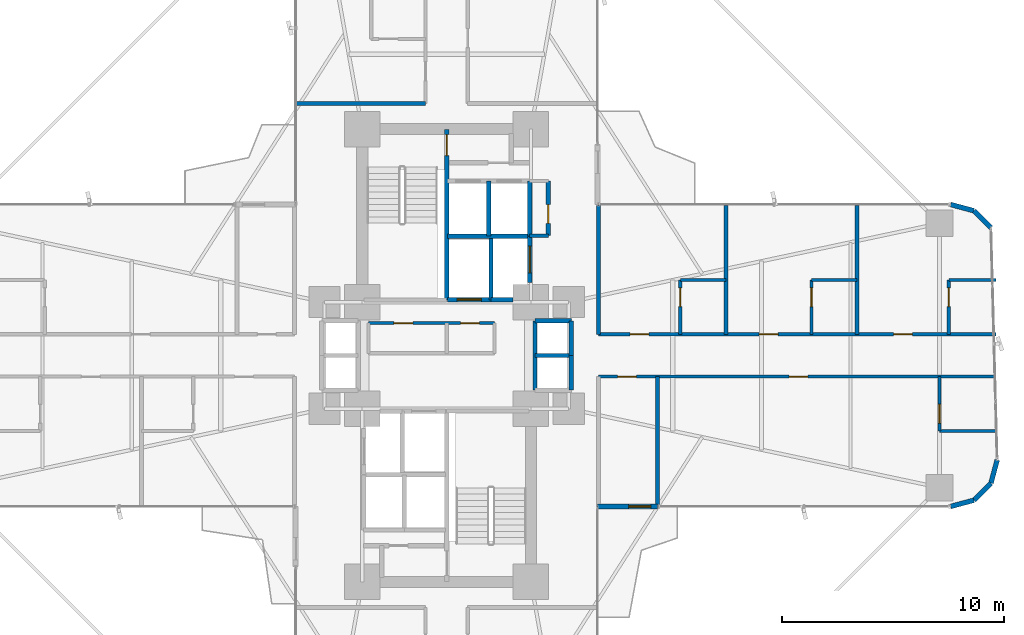
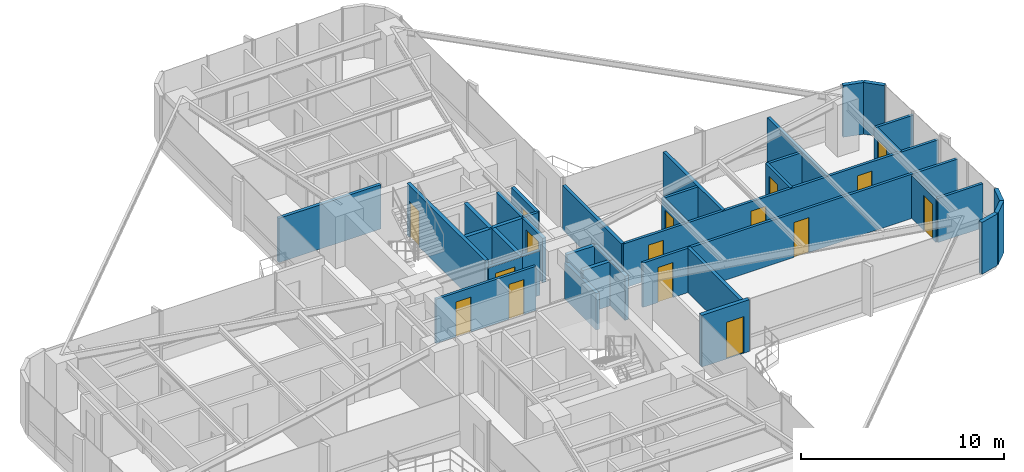
# One storey, part 23 of 26: 37 walls, 16 doors, 16 openings.
"""IFC4 building model written with IfcOpenShell, lengths in metres."""

from ifc_helpers import new_model, si_unit, direction, frame, frame_2d, origin, origin_2d, place, context, subcontext, project, spatial, rectangle, extrude, source, transform, mapped, material, layer, layer_set, type_object, element, fill, save


model = new_model("IFC4")

# Units and contexts
model_context = context("Model", 3, precision=1e-05, world=origin(), true_north=direction((0.0, 1.0)))
body_context = subcontext(model_context, "Body", "Model", "MODEL_VIEW")
ifc_project = project(units=[si_unit("LENGTHUNIT", "METRE"), si_unit("AREAUNIT", "SQUARE_METRE"), si_unit("VOLUMEUNIT", "CUBIC_METRE"), si_unit("PLANEANGLEUNIT", "RADIAN"), si_unit("MASSUNIT", "GRAM", prefix="KILO")], contexts=[model_context])

# Site, building, storey
site_placement = place(None, origin())
site = spatial("IfcSite", under=ifc_project, at=site_placement, CompositionType="ELEMENT")
building_placement = place(site_placement, origin())
building = spatial("IfcBuilding", under=site, at=building_placement, Name="Sahyath Konkavel Grand Hotel", CompositionType="ELEMENT")
storey_placement = place(building_placement, frame((0.0, 0.0, 51.050048828125)))
storey = spatial("IfcBuildingStorey", under=building, at=storey_placement, Name="L13", CompositionType="ELEMENT", Elevation=51.050048828125)

# Wall, opening, door
ifc_material_1 = material(Name="Warm Buff Sandstone Insulated Concrete C40/50", Category="masonry")
ifc_layer_1 = layer(ifc_material_1, 0.219970703125)
ifc_layer_set_1 = layer_set([ifc_layer_1], Name="Warm Buff Sandstone Insulated Concrete C40/50")
wall_type_1 = type_object("IfcWallType", Name="WLL-BALC-THRESH", PredefinedType="STANDARD", material=ifc_layer_set_1)
wall_1_placement = place(storey_placement, frame((6.800048828125, -6.800048828125, 0.0), z_axis=(0.0, 0.0, 1.0), x_axis=(1.0, 0.0, 0.0)))
wall_1 = element("IfcWall", 1, at=wall_1_placement, inside=storey, type_object=wall_type_1, Name="L13 Winter-Garden Threshold Wall 0", PredefinedType="STANDARD", context=body_context, shape_type="SweptSolid", body=[
    extrude(rectangle(XDim=2.699951171875, YDim=0.219970703125, at=frame_2d((1.35009765625, 0.0))), origin(), (0.0, 0.0, 1.0), 3.10986328125),
])
opening_1_placement = place(wall_1_placement, frame((1.39990234375, 0.0, 0.0)))
opening_1 = element("IfcOpeningElement", 2, at=opening_1_placement, cuts=wall_1, Name="Opening D-TR1", PredefinedType="OPENING", context=body_context, shape_type="SweptSolid", body=[
    extrude(rectangle(XDim=1.0, YDim=2.199951171875, at=frame_2d((0.5, 1.10009765625))), frame((0.0, 0.1201171875, 0.0), z_axis=(0.0, -1.0, 0.0), x_axis=(1.0, 0.0, 0.0)), (0.0, 0.0, 1.0), 0.239990234375),
])
ifc_material_2 = material(Name="Anodised Bronze Aluminium & Low-E Glazing", Category="aluminium")
door_type_1 = type_object("IfcDoorType", Name="DR-TERRACE-1000", OperationType="NOTDEFINED", PredefinedType="DOOR", material=ifc_material_2)
shared_shape_1 = source(origin(), body_context, "Body", "SweptSolid", [
    extrude(rectangle(XDim=1.0, YDim=0.050048828125, at=origin_2d()), origin(), (0.0, 0.0, 1.0), 2.199951171875),
])
door_1_placement = place(opening_1_placement, frame((0.5, 0.0, 0.0)))
door_1 = element("IfcDoor", 3, at=door_1_placement, inside=storey, type_object=door_type_1, Name="L13 Winter-Garden Terrace Door 0", OperationType="SINGLE_SWING_LEFT", OverallHeight=2.199951171875, OverallWidth=1.0, PredefinedType="DOOR", context=body_context, shape_type="MappedRepresentation", body=[
    mapped(shared_shape_1, transform((0.0, 0.0, 0.0), scale=1.0)),
])
fill(opening_1, door_1)

# Walls
for number, where, z_axis, x_axis, name in (
    (4, (22.699951171875, -6.800048828125, 0.0), (0.0, 0.0, 1.0), (0.965951058412, 0.25872485917, 0.0), "L13 Rounded Corner Sandstone Pier 1"),
    (5, (23.75, -6.518798828125, 0.0), (0.0, 0.0, 1.0), (0.707106781187, 0.707106781187, 0.0), "L13 Rounded Corner Sandstone Pier 2"),
    (6, (24.518798828125, -5.75, 0.0), (0.0, 0.0, 1.0), (0.25872485917, 0.965951058412, 0.0), "L13 Rounded Corner Sandstone Pier 3"),
    (7, (24.518798828125, 5.75, 0.0), (0.0, 0.0, 1.0), (-0.707106781187, 0.707106781187, 0.0), "L13 Rounded Corner Sandstone Pier 5"),
    (8, (23.75, 6.518798828125, 0.0), (0.0, 0.0, 1.0), (-0.965951058412, 0.25872485917, 0.0), "L13 Rounded Corner Sandstone Pier 6"),
):
    element("IfcWall", number, at=place(storey_placement, frame(where, z_axis=z_axis, x_axis=x_axis)), inside=storey, type_object=wall_type_1, Name=name, PredefinedType="STANDARD", context=body_context, shape_type="SweptSolid", body=[
        extrude(rectangle(XDim=1.087158203125, YDim=0.219970703125, at=frame_2d((0.54345703125, 0.0))), origin(), (0.0, 0.0, 1.0), 3.10986328125),
    ])

# Wall, opening, door
ifc_material_3 = material(Name="Concrete C40/50", Category="concrete")
ifc_layer_2 = layer(ifc_material_3, 0.199951171875)
ifc_layer_set_2 = layer_set([ifc_layer_2], Name="Concrete C40/50")
wall_type_2 = type_object("IfcWallType", Name="WLL-CORE-200", PredefinedType="SOLIDWALL", material=ifc_layer_set_2)
wall_2_placement = place(storey_placement, frame((0.0, 2.5, 0.0), z_axis=(0.0, 0.0, 1.0), x_axis=(0.0, 1.0, 0.0)))
wall_2 = element("IfcWall", 9, at=wall_2_placement, inside=storey, type_object=wall_type_2, Name="L13 Stair ST-1 Shaft Wall E", PredefinedType="SOLIDWALL", context=body_context, shape_type="SweptSolid", body=[
    extrude(rectangle(XDim=7.679931640625, YDim=0.199951171875, at=frame_2d((3.83984375, 0.0))), origin(), (0.0, 0.0, 1.0), 3.10986328125),
])
opening_2_placement = place(wall_2_placement, frame((6.5, 0.0, 0.0)))
opening_2 = element("IfcOpeningElement", 10, at=opening_2_placement, cuts=wall_2, Name="Opening D-F12C", PredefinedType="OPENING", context=body_context, shape_type="SweptSolid", body=[
    extrude(rectangle(XDim=0.949951171875, YDim=2.14990234375, at=frame_2d((0.47509765625, 1.074951171875))), frame((0.0, 0.10986328125, 0.0), z_axis=(0.0, -1.0, 0.0), x_axis=(1.0, 0.0, 0.0)), (0.0, 0.0, 1.0), 0.219970703125),
])
ifc_material_4 = material(Name="Steel E350 Plant Fire Door", Category="steel")
door_type_2 = type_object("IfcDoorType", Name="DR-FD120-950", OperationType="NOTDEFINED", PredefinedType="DOOR", material=ifc_material_4)
shared_shape_2 = source(origin(), body_context, "Body", "SweptSolid", [
    extrude(rectangle(XDim=0.949951171875, YDim=0.050048828125, at=origin_2d()), origin(), (0.0, 0.0, 1.0), 2.14990234375),
])
door_2_placement = place(opening_2_placement, frame((0.47509765625, 0.0, 0.0)))
door_2 = element("IfcDoor", 11, at=door_2_placement, inside=storey, type_object=door_type_2, Name="L13 Stair ST-1 Fire Door", OperationType="SINGLE_SWING_LEFT", OverallHeight=2.14990234375, OverallWidth=0.949951171875, PredefinedType="DOOR", context=body_context, shape_type="MappedRepresentation", body=[
    mapped(shared_shape_2, transform((0.0, 0.0, 0.0), scale=1.0)),
])
fill(opening_2, door_2)

# Wall
wall_3_placement = place(storey_placement, frame((2.0, 2.5, 0.0), z_axis=(0.0, 0.0, 1.0), x_axis=(0.0, 1.0, 0.0)))
element("IfcWall", 12, at=wall_3_placement, inside=storey, type_object=wall_type_2, Name="L13 Partition SH-FFL1-E", PredefinedType="SOLIDWALL", context=body_context, shape_type="SweptSolid", body=[
    extrude(rectangle(XDim=2.780029296875, YDim=0.199951171875, at=frame_2d((1.39013671875, 0.0))), origin(), (0.0, 0.0, 1.0), 2.659912109375),
])

# Wall, opening, door
wall_4_placement = place(storey_placement, frame((0.050048828125, 2.52001953125, 0.0), z_axis=(0.0, 0.0, 1.0), x_axis=(1.0, 0.0, 0.0)))
wall_4 = element("IfcWall", 13, at=wall_4_placement, inside=storey, type_object=wall_type_2, Name="L13 Partition SH-FFL1-S", PredefinedType="SOLIDWALL", context=body_context, shape_type="SweptSolid", body=[
    extrude(rectangle(XDim=1.949951171875, YDim=0.199951171875, at=frame_2d((0.97509765625, 0.0))), origin(), (0.0, 0.0, 1.0), 2.659912109375),
])
opening_3_placement = place(wall_4_placement, frame((0.419921875, 0.0, 0.0)))
opening_3 = element("IfcOpeningElement", 14, at=opening_3_placement, cuts=wall_4, Name="Opening LD-11", PredefinedType="OPENING", context=body_context, shape_type="SweptSolid", body=[
    extrude(rectangle(XDim=1.10009765625, YDim=2.199951171875, at=frame_2d((0.550048828125, 1.10009765625))), frame((0.0, 0.10986328125, 0.0), z_axis=(0.0, -1.0, 0.0), x_axis=(1.0, 0.0, 0.0)), (0.0, 0.0, 1.0), 0.219970703125),
])
ifc_material_5 = material(Name="Bronze Lift Landing Door 1100")
door_type_3 = type_object("IfcDoorType", Name="DR-LIFT-1100", OperationType="DOUBLE_DOOR_SLIDING", PredefinedType="DOOR", material=ifc_material_5)
shared_shape_3 = source(origin(), body_context, "Body", "SweptSolid", [
    extrude(rectangle(XDim=1.10009765625, YDim=0.050048828125, at=origin_2d()), origin(), (0.0, 0.0, 1.0), 2.199951171875),
])
door_3_placement = place(opening_3_placement, frame((0.550048828125, 0.0, 0.0)))
door_3 = element("IfcDoor", 15, at=door_3_placement, inside=storey, type_object=door_type_3, Name="L13 Lift FFL-1 Landing Door", OperationType="DOUBLE_DOOR_SLIDING", OverallHeight=2.199951171875, OverallWidth=1.10009765625, PredefinedType="DOOR", context=body_context, shape_type="MappedRepresentation", body=[
    mapped(shared_shape_3, transform((0.0, 0.0, 0.0), scale=1.0)),
])
fill(opening_3, door_3)

# Wall
wall_5_placement = place(storey_placement, frame((2.0, 2.52001953125, 0.0), z_axis=(0.0, 0.0, 1.0), x_axis=(1.0, 0.0, 0.0)))
element("IfcWall", 16, at=wall_5_placement, inside=storey, type_object=wall_type_2, Name="L13 Partition SH-SVL1-S", PredefinedType="SOLIDWALL", context=body_context, shape_type="SweptSolid", body=[
    extrude(rectangle(XDim=1.0, YDim=0.199951171875, at=frame_2d((0.5, 0.0))), origin(), (0.0, 0.0, 1.0), 2.659912109375),
])

# Wall, opening, door
wall_6_placement = place(storey_placement, frame((3.739990234375, 3.280029296875, 0.0), z_axis=(0.0, 0.0, 1.0), x_axis=(0.0, 1.0, 0.0)))
wall_6 = element("IfcWall", 17, at=wall_6_placement, inside=storey, type_object=wall_type_2, Name="L13 Partition SH-SVL1-E", PredefinedType="SOLIDWALL", context=body_context, shape_type="SweptSolid", body=[
    extrude(rectangle(XDim=2.080078125, YDim=0.199951171875, at=frame_2d((1.0400390625, 0.0))), origin(), (0.0, 0.0, 1.0), 2.659912109375),
])
opening_4_placement = place(wall_6_placement, frame((0.43994140625, 0.0, 0.0)))
opening_4 = element("IfcOpeningElement", 18, at=opening_4_placement, cuts=wall_6, Name="Opening LD-12", PredefinedType="OPENING", context=body_context, shape_type="SweptSolid", body=[
    extrude(rectangle(XDim=1.199951171875, YDim=2.199951171875, at=frame_2d((0.60009765625, 1.10009765625))), frame((0.0, 0.10986328125, 0.0), z_axis=(0.0, -1.0, 0.0), x_axis=(1.0, 0.0, 0.0)), (0.0, 0.0, 1.0), 0.219970703125),
])
ifc_material_6 = material(Name="Stainless Steel Lift Landing Door 1200", Category="steel")
door_type_4 = type_object("IfcDoorType", Name="DR-LIFT-1200", OperationType="DOUBLE_DOOR_SLIDING", PredefinedType="DOOR", material=ifc_material_6)
shared_shape_4 = source(origin(), body_context, "Body", "SweptSolid", [
    extrude(rectangle(XDim=1.199951171875, YDim=0.050048828125, at=origin_2d()), origin(), (0.0, 0.0, 1.0), 2.199951171875),
])
door_4_placement = place(opening_4_placement, frame((0.60009765625, 0.0, 0.0)))
door_4 = element("IfcDoor", 19, at=door_4_placement, inside=storey, type_object=door_type_4, Name="L13 Service Lift SVL-1 Landing Door", OperationType="DOUBLE_DOOR_SLIDING", OverallHeight=2.199951171875, OverallWidth=1.199951171875, PredefinedType="DOOR", context=body_context, shape_type="MappedRepresentation", body=[
    mapped(shared_shape_4, transform((0.0, 0.0, 0.0), scale=1.0)),
])
fill(opening_4, door_4)

# Walls
wall_7_placement = place(storey_placement, frame((0.050048828125, 5.3798828125, 0.0), z_axis=(0.0, 0.0, 1.0), x_axis=(1.0, 0.0, 0.0)))
element("IfcWall", 20, at=wall_7_placement, inside=storey, type_object=wall_type_2, Name="L13 Partition SH-PL12-S", PredefinedType="SOLIDWALL", context=body_context, shape_type="SweptSolid", body=[
    extrude(rectangle(XDim=3.68994140625, YDim=0.199951171875, at=frame_2d((1.844970703125, 0.0))), origin(), (0.0, 0.0, 1.0), 2.659912109375),
])
for number, where, z_axis, x_axis, name in (
    (21, (1.89990234375, 5.3798828125, 0.0), (0.0, 0.0, 1.0), (0.0, 1.0, 0.0), "L13 Partition SH-PL12-M"),
    (22, (3.739990234375, 5.3798828125, 0.0), (0.0, 0.0, 1.0), (0.0, 1.0, 0.0), "L13 Partition SH-PL2-E"),
):
    element("IfcWall", number, at=place(storey_placement, frame(where, z_axis=z_axis, x_axis=x_axis)), inside=storey, type_object=wall_type_2, Name=name, PredefinedType="SOLIDWALL", context=body_context, shape_type="SweptSolid", body=[
        extrude(rectangle(XDim=2.480224609375, YDim=0.199951171875, at=frame_2d((1.240234375, 0.0))), origin(), (0.0, 0.0, 1.0), 2.659912109375),
    ])
wall_8_placement = place(storey_placement, frame((3.97998046875, -1.56005859375, 0.0), z_axis=(0.0, 0.0, 1.0), x_axis=(0.0, 1.0, 0.0)))
element("IfcWall", 23, at=wall_8_placement, inside=storey, type_object=wall_type_2, Name="L13 Partition SH-PL56-W", PredefinedType="SOLIDWALL", context=body_context, shape_type="SweptSolid", body=[
    extrude(rectangle(XDim=3.1201171875, YDim=0.199951171875, at=frame_2d((1.56005859375, 0.0))), origin(), (0.0, 0.0, 1.0), 2.179931640625),
])
for number, where, z_axis, x_axis, name in (
    (24, (3.97998046875, 1.56005859375, 0.0), (0.0, 0.0, 1.0), (1.0, 0.0, 0.0), "L13 Partition SH-PL56-N"),
    (25, (3.97998046875, 0.0, 0.0), (0.0, 0.0, 1.0), (1.0, 0.0, 0.0), "L13 Partition SH-PL56-M"),
):
    element("IfcWall", number, at=place(storey_placement, frame(where, z_axis=z_axis, x_axis=x_axis)), inside=storey, type_object=wall_type_2, Name=name, PredefinedType="SOLIDWALL", context=body_context, shape_type="SweptSolid", body=[
        extrude(rectangle(XDim=1.64013671875, YDim=0.199951171875, at=frame_2d((0.820068359375, 0.0))), origin(), (0.0, 0.0, 1.0), 2.659912109375),
    ])
for number, where, z_axis, x_axis, name in (
    (26, (5.6201171875, 0.0, 0.0), (0.0, 0.0, 1.0), (0.0, 1.0, 0.0), "L13 Partition SH-PL5-E"),
    (27, (5.6201171875, -1.56005859375, 0.0), (0.0, 0.0, 1.0), (0.0, 1.0, 0.0), "L13 Partition SH-PL6-E"),
):
    element("IfcWall", number, at=place(storey_placement, frame(where, z_axis=z_axis, x_axis=x_axis)), inside=storey, type_object=wall_type_2, Name=name, PredefinedType="SOLIDWALL", context=body_context, shape_type="SweptSolid", body=[
        extrude(rectangle(XDim=1.56005859375, YDim=0.199951171875, at=frame_2d((0.780029296875, 0.0))), origin(), (0.0, 0.0, 1.0), 2.659912109375),
    ])

# Wall, opening, door
wall_9_placement = place(storey_placement, frame((4.580078125, 5.39990234375, 0.0), z_axis=(0.0, 0.0, 1.0), x_axis=(0.0, 1.0, 0.0)))
wall_9 = element("IfcWall", 28, at=wall_9_placement, inside=storey, type_object=wall_type_2, Name="L13 Partition NC-FLK-E", PredefinedType="SOLIDWALL", context=body_context, shape_type="SweptSolid", body=[
    extrude(rectangle(XDim=2.460205078125, YDim=0.199951171875, at=frame_2d((1.22998046875, 0.0))), origin(), (0.0, 0.0, 1.0), 2.659912109375),
])
opening_5_placement = place(wall_9_placement, frame((0.550048828125, 0.0, 0.0)))
opening_5 = element("IfcOpeningElement", 29, at=opening_5_placement, cuts=wall_9, Name="Opening D-F06D", PredefinedType="OPENING", context=body_context, shape_type="SweptSolid", body=[
    extrude(rectangle(XDim=0.85009765625, YDim=2.10009765625, at=frame_2d((0.425048828125, 1.050048828125))), frame((0.0, 0.10986328125, 0.0), z_axis=(0.0, -1.0, 0.0), x_axis=(1.0, 0.0, 0.0)), (0.0, 0.0, 1.0), 0.219970703125),
])
ifc_material_7 = material(Name="Fire-Rated Shaft Access Door")
door_type_5 = type_object("IfcDoorType", Name="DR-FD60-850", OperationType="NOTDEFINED", PredefinedType="DOOR", material=ifc_material_7)
shared_shape_5 = source(origin(), body_context, "Body", "SweptSolid", [
    extrude(rectangle(XDim=0.85009765625, YDim=0.050048828125, at=origin_2d()), origin(), (0.0, 0.0, 1.0), 2.10009765625),
])
door_5_placement = place(opening_5_placement, frame((0.425048828125, 0.0, 0.0)))
door_5 = element("IfcDoor", 30, at=door_5_placement, inside=storey, type_object=door_type_5, Name="L13 Door NC-FLK1-D", OperationType="SINGLE_SWING_LEFT", OverallHeight=2.10009765625, OverallWidth=0.85009765625, PredefinedType="DOOR", context=body_context, shape_type="MappedRepresentation", body=[
    mapped(shared_shape_5, transform((0.0, 0.0, 0.0), scale=1.0)),
])
fill(opening_5, door_5)

# Walls
ifc_material_8 = material(Name="Twin-Stud Acoustic Gypsum Plasterboard Partition")
ifc_layer_3 = layer(ifc_material_8, 0.179931640625)
ifc_layer_set_3 = layer_set([ifc_layer_3], Name="Twin-Stud Acoustic Gypsum Plasterboard Partition")
wall_type_3 = type_object("IfcWallType", Name="WLL-DEMISE-180", PredefinedType="PARTITIONING", material=ifc_layer_set_3)
for number, where, z_axis, x_axis, name in (
    (31, (6.85009765625, 0.949951171875, 0.0), (0.0, 0.0, 1.0), (0.0, 1.0, 0.0), "L13 Partition E-INL"),
    (32, (12.577880859375, 0.949951171875, 0.0), (0.0, 0.0, 1.0), (0.0, 1.0, 0.0), "L13 Partition E-E1L-DEM"),
    (33, (18.485107421875, 0.949951171875, 0.0), (0.0, 0.0, 1.0), (0.0, 1.0, 0.0), "L13 Partition E-E2L-DEM"),
    (34, (9.5, -0.949951171875, 0.0), (0.0, 0.0, 1.0), (0.0, -1.0, 0.0), "L13 Partition E-EHK-DEM"),
    (35, (-0.949951171875, 11.35009765625, 0.0), (0.0, 0.0, 1.0), (-1.0, 0.0, 0.0), "L13 Partition N-INL"),
):
    element("IfcWall", number, at=place(storey_placement, frame(where, z_axis=z_axis, x_axis=x_axis)), inside=storey, type_object=wall_type_3, Name=name, PredefinedType="PARTITIONING", context=body_context, shape_type="SweptSolid", body=[
        extrude(rectangle(XDim=5.800048828125, YDim=0.179931640625, at=frame_2d((2.89990234375, 0.0))), origin(), (0.0, 0.0, 1.0), 2.659912109375),
    ])
ifc_material_9 = material(Name="Fire-Rated Gypsum Plasterboard Partition")
ifc_layer_4 = layer(ifc_material_9, 0.14990234375)
ifc_layer_set_4 = layer_set([ifc_layer_4], Name="Fire-Rated Gypsum Plasterboard Partition")
wall_type_4 = type_object("IfcWallType", Name="WLL-PART-150", PredefinedType="PARTITIONING", material=ifc_layer_set_4)
wall_10_placement = place(storey_placement, frame((3.739990234375, 5.39990234375, 0.0), z_axis=(0.0, 0.0, 1.0), x_axis=(1.0, 0.0, 0.0)))
element("IfcWall", 36, at=wall_10_placement, inside=storey, type_object=wall_type_4, Name="L13 Partition NC-FLK-S", PredefinedType="PARTITIONING", context=body_context, shape_type="SweptSolid", body=[
    extrude(rectangle(XDim=0.840087890625, YDim=0.14990234375, at=frame_2d((0.419921875, 0.0))), origin(), (0.0, 0.0, 1.0), 2.659912109375),
])

# Wall, openings, doors
wall_11_placement = place(storey_placement, frame((-3.52001953125, 1.4599609375, 0.0), z_axis=(0.0, 0.0, 1.0), x_axis=(1.0, 0.0, 0.0)))
wall_11 = element("IfcWall", 37, at=wall_11_placement, inside=storey, type_object=wall_type_4, Name="L13 Partition CC-N0", PredefinedType="PARTITIONING", context=body_context, shape_type="SweptSolid", body=[
    extrude(rectangle(XDim=5.679931640625, YDim=0.14990234375, at=frame_2d((2.83984375, 0.0))), origin(), (0.0, 0.0, 1.0), 2.659912109375),
])
opening_6_placement = place(wall_11_placement, frame((1.14990234375, 0.0, 0.0)))
opening_6 = element("IfcOpeningElement", 38, at=opening_6_placement, cuts=wall_11, Name="Opening D-F06D", PredefinedType="OPENING", context=body_context, shape_type="SweptSolid", body=[
    extrude(rectangle(XDim=0.85009765625, YDim=2.10009765625, at=frame_2d((0.425048828125, 1.050048828125))), frame((0.0, 0.0849609375, 0.0), z_axis=(0.0, -1.0, 0.0), x_axis=(1.0, 0.0, 0.0)), (0.0, 0.0, 1.0), 0.169921875),
])
opening_7_placement = place(wall_11_placement, frame((4.14990234375, 0.0, 0.0)))
opening_7 = element("IfcOpeningElement", 39, at=opening_7_placement, cuts=wall_11, Name="Opening D-F06D", PredefinedType="OPENING", context=body_context, shape_type="SweptSolid", body=[
    extrude(rectangle(XDim=0.85009765625, YDim=2.10009765625, at=frame_2d((0.425048828125, 1.050048828125))), frame((0.0, 0.0849609375, 0.0), z_axis=(0.0, -1.0, 0.0), x_axis=(1.0, 0.0, 0.0)), (0.0, 0.0, 1.0), 0.169921875),
])
door_6_placement = place(opening_6_placement, frame((0.425048828125, 0.0, 0.0)))
door_6 = element("IfcDoor", 40, at=door_6_placement, inside=storey, type_object=door_type_5, Name="L13 Door CC-D0A", OperationType="SINGLE_SWING_RIGHT", OverallHeight=2.10009765625, OverallWidth=0.85009765625, PredefinedType="DOOR", context=body_context, shape_type="MappedRepresentation", body=[
    mapped(shared_shape_5, transform((0.0, 0.0, 0.0), scale=1.0)),
])
fill(opening_6, door_6)
door_7_placement = place(opening_7_placement, frame((0.425048828125, 0.0, 0.0)))
door_7 = element("IfcDoor", 41, at=door_7_placement, inside=storey, type_object=door_type_5, Name="L13 Door CC-D0B", OperationType="SINGLE_SWING_LEFT", OverallHeight=2.10009765625, OverallWidth=0.85009765625, PredefinedType="DOOR", context=body_context, shape_type="MappedRepresentation", body=[
    mapped(shared_shape_5, transform((0.0, 0.0, 0.0), scale=1.0)),
])
fill(opening_7, door_7)

wall_12_placement = place(storey_placement, frame((6.85009765625, 0.949951171875, 0.0), z_axis=(0.0, 0.0, 1.0), x_axis=(1.0, 0.0, 0.0)))
wall_12 = element("IfcWall", 42, at=wall_12_placement, inside=storey, type_object=wall_type_4, Name="L13 Partition E-CL", PredefinedType="PARTITIONING", context=body_context, shape_type="SweptSolid", body=[
    extrude(rectangle(XDim=17.89990234375, YDim=0.14990234375, at=frame_2d((8.949951171875, 0.0))), origin(), (0.0, 0.0, 1.0), 2.659912109375),
])
opening_8_placement = place(wall_12_placement, frame((1.4140625, 0.0, 0.0)))
opening_8 = element("IfcOpeningElement", 43, at=opening_8_placement, cuts=wall_12, Name="Opening D-F06D", PredefinedType="OPENING", context=body_context, shape_type="SweptSolid", body=[
    extrude(rectangle(XDim=0.85009765625, YDim=2.10009765625, at=frame_2d((0.425048828125, 1.050048828125))), frame((0.0, 0.0849609375, 0.0), z_axis=(0.0, -1.0, 0.0), x_axis=(1.0, 0.0, 0.0)), (0.0, 0.0, 1.0), 0.169921875),
])
opening_9_placement = place(wall_12_placement, frame((7.23095703125, 0.0, 0.0)))
opening_9 = element("IfcOpeningElement", 44, at=opening_9_placement, cuts=wall_12, Name="Opening D-F06D", PredefinedType="OPENING", context=body_context, shape_type="SweptSolid", body=[
    extrude(rectangle(XDim=0.85009765625, YDim=2.10009765625, at=frame_2d((0.425048828125, 1.050048828125))), frame((0.0, 0.0849609375, 0.0), z_axis=(0.0, -1.0, 0.0), x_axis=(1.0, 0.0, 0.0)), (0.0, 0.0, 1.0), 0.169921875),
])
opening_10_placement = place(wall_12_placement, frame((13.278076171875, 0.0, 0.0)))
opening_10 = element("IfcOpeningElement", 45, at=opening_10_placement, cuts=wall_12, Name="Opening D-F06D", PredefinedType="OPENING", context=body_context, shape_type="SweptSolid", body=[
    extrude(rectangle(XDim=0.85009765625, YDim=2.10009765625, at=frame_2d((0.425048828125, 1.050048828125))), frame((0.0, 0.0849609375, 0.0), z_axis=(0.0, -1.0, 0.0), x_axis=(1.0, 0.0, 0.0)), (0.0, 0.0, 1.0), 0.169921875),
])
door_8_placement = place(opening_8_placement, frame((0.425048828125, 0.0, 0.0)))
door_8 = element("IfcDoor", 46, at=door_8_placement, inside=storey, type_object=door_type_5, Name="L13 Door E-E1L-ED", OperationType="SINGLE_SWING_LEFT", OverallHeight=2.10009765625, OverallWidth=0.85009765625, PredefinedType="DOOR", context=body_context, shape_type="MappedRepresentation", body=[
    mapped(shared_shape_5, transform((0.0, 0.0, 0.0), scale=1.0)),
])
fill(opening_8, door_8)
door_9_placement = place(opening_9_placement, frame((0.425048828125, 0.0, 0.0)))
door_9 = element("IfcDoor", 47, at=door_9_placement, inside=storey, type_object=door_type_5, Name="L13 Door E-E2L-ED", OperationType="SINGLE_SWING_LEFT", OverallHeight=2.10009765625, OverallWidth=0.85009765625, PredefinedType="DOOR", context=body_context, shape_type="MappedRepresentation", body=[
    mapped(shared_shape_5, transform((0.0, 0.0, 0.0), scale=1.0)),
])
fill(opening_9, door_9)
door_10_placement = place(opening_10_placement, frame((0.425048828125, 0.0, 0.0)))
door_10 = element("IfcDoor", 48, at=door_10_placement, inside=storey, type_object=door_type_5, Name="L13 Door E-E3L-ED", OperationType="SINGLE_SWING_LEFT", OverallHeight=2.10009765625, OverallWidth=0.85009765625, PredefinedType="DOOR", context=body_context, shape_type="MappedRepresentation", body=[
    mapped(shared_shape_5, transform((0.0, 0.0, 0.0), scale=1.0)),
])
fill(opening_10, door_10)

wall_13_placement = place(storey_placement, frame((6.85009765625, -0.949951171875, 0.0), z_axis=(0.0, 0.0, 1.0), x_axis=(1.0, 0.0, 0.0)))
wall_13 = element("IfcWall", 49, at=wall_13_placement, inside=storey, type_object=wall_type_4, Name="L13 Partition E-CR", PredefinedType="PARTITIONING", context=body_context, shape_type="SweptSolid", body=[
    extrude(rectangle(XDim=17.89990234375, YDim=0.14990234375, at=frame_2d((8.949951171875, 0.0))), origin(), (0.0, 0.0, 1.0), 2.659912109375),
])
opening_11_placement = place(wall_13_placement, frame((0.85009765625, 0.0, 0.0)))
opening_11 = element("IfcOpeningElement", 50, at=opening_11_placement, cuts=wall_13, Name="Opening D-F06D", PredefinedType="OPENING", context=body_context, shape_type="SweptSolid", body=[
    extrude(rectangle(XDim=0.85009765625, YDim=2.10009765625, at=frame_2d((0.425048828125, 1.050048828125))), frame((0.0, 0.0849609375, 0.0), z_axis=(0.0, -1.0, 0.0), x_axis=(1.0, 0.0, 0.0)), (0.0, 0.0, 1.0), 0.169921875),
])
opening_12_placement = place(wall_13_placement, frame((8.574951171875, 0.0, 0.0)))
opening_12 = element("IfcOpeningElement", 51, at=opening_12_placement, cuts=wall_13, Name="Opening D-F06D", PredefinedType="OPENING", context=body_context, shape_type="SweptSolid", body=[
    extrude(rectangle(XDim=0.85009765625, YDim=2.10009765625, at=frame_2d((0.425048828125, 1.050048828125))), frame((0.0, 0.0849609375, 0.0), z_axis=(0.0, -1.0, 0.0), x_axis=(1.0, 0.0, 0.0)), (0.0, 0.0, 1.0), 0.169921875),
])
door_11_placement = place(opening_11_placement, frame((0.425048828125, 0.0, 0.0)))
door_11 = element("IfcDoor", 52, at=door_11_placement, inside=storey, type_object=door_type_5, Name="L13 Door E-EHK-D", OperationType="SINGLE_SWING_RIGHT", OverallHeight=2.10009765625, OverallWidth=0.85009765625, PredefinedType="DOOR", context=body_context, shape_type="MappedRepresentation", body=[
    mapped(shared_shape_5, transform((0.0, 0.0, 0.0), scale=1.0)),
])
fill(opening_11, door_11)
door_12_placement = place(opening_12_placement, frame((0.425048828125, 0.0, 0.0)))
door_12 = element("IfcDoor", 53, at=door_12_placement, inside=storey, type_object=door_type_5, Name="L13 Door E-E2R-ED", OperationType="SINGLE_SWING_RIGHT", OverallHeight=2.10009765625, OverallWidth=0.85009765625, PredefinedType="DOOR", context=body_context, shape_type="MappedRepresentation", body=[
    mapped(shared_shape_5, transform((0.0, 0.0, 0.0), scale=1.0)),
])
fill(opening_12, door_12)

# Wall, opening, door
wall_14_placement = place(storey_placement, frame((10.528076171875, 0.949951171875, 0.0), z_axis=(0.0, 0.0, 1.0), x_axis=(0.0, 1.0, 0.0)))
wall_14 = element("IfcWall", 54, at=wall_14_placement, inside=storey, type_object=wall_type_4, Name="L13 Partition E-E1L-BS", PredefinedType="PARTITIONING", context=body_context, shape_type="SweptSolid", body=[
    extrude(rectangle(XDim=2.449951171875, YDim=0.14990234375, at=frame_2d((1.22509765625, 0.0))), origin(), (0.0, 0.0, 1.0), 2.659912109375),
])
opening_13_placement = place(wall_14_placement, frame((1.25, 0.0, 0.0)))
opening_13 = element("IfcOpeningElement", 55, at=opening_13_placement, cuts=wall_14, Name="Opening D-BT85", PredefinedType="OPENING", context=body_context, shape_type="SweptSolid", body=[
    extrude(rectangle(XDim=0.85009765625, YDim=2.10009765625, at=frame_2d((0.425048828125, 1.050048828125))), frame((0.0, 0.0849609375, 0.0), z_axis=(0.0, -1.0, 0.0), x_axis=(1.0, 0.0, 0.0)), (0.0, 0.0, 1.0), 0.169921875),
])
ifc_material_10 = material(Name="Moisture-Resistant Teak Bathroom Door")
door_type_6 = type_object("IfcDoorType", Name="DR-BATH-850", OperationType="NOTDEFINED", PredefinedType="DOOR", material=ifc_material_10)
door_13_placement = place(opening_13_placement, frame((0.425048828125, 0.0, 0.0)))
door_13 = element("IfcDoor", 56, at=door_13_placement, inside=storey, type_object=door_type_6, Name="L13 Door E-E1L-BD", OperationType="SINGLE_SWING_RIGHT", OverallHeight=2.10009765625, OverallWidth=0.85009765625, PredefinedType="DOOR", context=body_context, shape_type="MappedRepresentation", body=[
    mapped(shared_shape_5, transform((0.0, 0.0, 0.0), scale=1.0)),
])
fill(opening_13, door_13)

# Wall
wall_15_placement = place(storey_placement, frame((10.528076171875, 3.39990234375, 0.0), z_axis=(0.0, 0.0, 1.0), x_axis=(1.0, 0.0, 0.0)))
element("IfcWall", 57, at=wall_15_placement, inside=storey, type_object=wall_type_4, Name="L13 Partition E-E1L-BF", PredefinedType="PARTITIONING", context=body_context, shape_type="SweptSolid", body=[
    extrude(rectangle(XDim=2.0498046875, YDim=0.14990234375, at=frame_2d((1.02490234375, 0.0))), origin(), (0.0, 0.0, 1.0), 2.6298828125),
])

# Wall, opening, door
wall_16_placement = place(storey_placement, frame((16.43505859375, 0.949951171875, 0.0), z_axis=(0.0, 0.0, 1.0), x_axis=(0.0, 1.0, 0.0)))
wall_16 = element("IfcWall", 58, at=wall_16_placement, inside=storey, type_object=wall_type_4, Name="L13 Partition E-E2L-BS", PredefinedType="PARTITIONING", context=body_context, shape_type="SweptSolid", body=[
    extrude(rectangle(XDim=2.449951171875, YDim=0.14990234375, at=frame_2d((1.22509765625, 0.0))), origin(), (0.0, 0.0, 1.0), 2.659912109375),
])
opening_14_placement = place(wall_16_placement, frame((1.25, 0.0, 0.0)))
opening_14 = element("IfcOpeningElement", 59, at=opening_14_placement, cuts=wall_16, Name="Opening D-BT85", PredefinedType="OPENING", context=body_context, shape_type="SweptSolid", body=[
    extrude(rectangle(XDim=0.85009765625, YDim=2.10009765625, at=frame_2d((0.425048828125, 1.050048828125))), frame((0.0, 0.0849609375, 0.0), z_axis=(0.0, -1.0, 0.0), x_axis=(1.0, 0.0, 0.0)), (0.0, 0.0, 1.0), 0.169921875),
])
door_14_placement = place(opening_14_placement, frame((0.425048828125, 0.0, 0.0)))
door_14 = element("IfcDoor", 60, at=door_14_placement, inside=storey, type_object=door_type_6, Name="L13 Door E-E2L-BD", OperationType="SINGLE_SWING_RIGHT", OverallHeight=2.10009765625, OverallWidth=0.85009765625, PredefinedType="DOOR", context=body_context, shape_type="MappedRepresentation", body=[
    mapped(shared_shape_5, transform((0.0, 0.0, 0.0), scale=1.0)),
])
fill(opening_14, door_14)

# Wall
wall_17_placement = place(storey_placement, frame((16.43505859375, 3.39990234375, 0.0), z_axis=(0.0, 0.0, 1.0), x_axis=(1.0, 0.0, 0.0)))
element("IfcWall", 61, at=wall_17_placement, inside=storey, type_object=wall_type_4, Name="L13 Partition E-E2L-BF", PredefinedType="PARTITIONING", context=body_context, shape_type="SweptSolid", body=[
    extrude(rectangle(XDim=2.050048828125, YDim=0.14990234375, at=frame_2d((1.02490234375, 0.0))), origin(), (0.0, 0.0, 1.0), 2.6298828125),
])

# Wall, opening, door
wall_18_placement = place(storey_placement, frame((22.6201171875, 0.949951171875, 0.0), z_axis=(0.0, 0.0, 1.0), x_axis=(0.0, 1.0, 0.0)))
wall_18 = element("IfcWall", 62, at=wall_18_placement, inside=storey, type_object=wall_type_4, Name="L13 Partition E-E3L-BS", PredefinedType="PARTITIONING", context=body_context, shape_type="SweptSolid", body=[
    extrude(rectangle(XDim=2.449951171875, YDim=0.14990234375, at=frame_2d((1.22509765625, 0.0))), origin(), (0.0, 0.0, 1.0), 2.659912109375),
])
opening_15_placement = place(wall_18_placement, frame((1.25, 0.0, 0.0)))
opening_15 = element("IfcOpeningElement", 63, at=opening_15_placement, cuts=wall_18, Name="Opening D-BT85", PredefinedType="OPENING", context=body_context, shape_type="SweptSolid", body=[
    extrude(rectangle(XDim=0.85009765625, YDim=2.10009765625, at=frame_2d((0.425048828125, 1.050048828125))), frame((0.0, 0.0849609375, 0.0), z_axis=(0.0, -1.0, 0.0), x_axis=(1.0, 0.0, 0.0)), (0.0, 0.0, 1.0), 0.169921875),
])
door_15_placement = place(opening_15_placement, frame((0.425048828125, 0.0, 0.0)))
door_15 = element("IfcDoor", 64, at=door_15_placement, inside=storey, type_object=door_type_6, Name="L13 Door E-E3L-BD", OperationType="SINGLE_SWING_RIGHT", OverallHeight=2.10009765625, OverallWidth=0.85009765625, PredefinedType="DOOR", context=body_context, shape_type="MappedRepresentation", body=[
    mapped(shared_shape_5, transform((0.0, 0.0, 0.0), scale=1.0)),
])
fill(opening_15, door_15)

# Wall
wall_19_placement = place(storey_placement, frame((22.6201171875, 3.39990234375, 0.0), z_axis=(0.0, 0.0, 1.0), x_axis=(1.0, 0.0, 0.0)))
element("IfcWall", 65, at=wall_19_placement, inside=storey, type_object=wall_type_4, Name="L13 Partition E-E3L-BF", PredefinedType="PARTITIONING", context=body_context, shape_type="SweptSolid", body=[
    extrude(rectangle(XDim=2.1298828125, YDim=0.14990234375, at=frame_2d((1.06494140625, 0.0))), origin(), (0.0, 0.0, 1.0), 2.659912109375),
])

# Wall, opening, door
wall_20_placement = place(storey_placement, frame((22.199951171875, -0.949951171875, 0.0), z_axis=(0.0, 0.0, 1.0), x_axis=(0.0, -1.0, 0.0)))
wall_20 = element("IfcWall", 66, at=wall_20_placement, inside=storey, type_object=wall_type_4, Name="L13 Partition E-E2R-BS", PredefinedType="PARTITIONING", context=body_context, shape_type="SweptSolid", body=[
    extrude(rectangle(XDim=2.449951171875, YDim=0.14990234375, at=frame_2d((1.22509765625, 0.0))), origin(), (0.0, 0.0, 1.0), 2.579833984375),
])
opening_16_placement = place(wall_20_placement, frame((1.25, 0.0, 0.0)))
opening_16 = element("IfcOpeningElement", 67, at=opening_16_placement, cuts=wall_20, Name="Opening D-BT85", PredefinedType="OPENING", context=body_context, shape_type="SweptSolid", body=[
    extrude(rectangle(XDim=0.85009765625, YDim=2.10009765625, at=frame_2d((0.425048828125, 1.050048828125))), frame((0.0, 0.0849609375, 0.0), z_axis=(0.0, -1.0, 0.0), x_axis=(1.0, 0.0, 0.0)), (0.0, 0.0, 1.0), 0.169921875),
])
door_16_placement = place(opening_16_placement, frame((0.425048828125, 0.0, 0.0)))
door_16 = element("IfcDoor", 68, at=door_16_placement, inside=storey, type_object=door_type_6, Name="L13 Door E-E2R-BD", OperationType="SINGLE_SWING_LEFT", OverallHeight=2.10009765625, OverallWidth=0.85009765625, PredefinedType="DOOR", context=body_context, shape_type="MappedRepresentation", body=[
    mapped(shared_shape_5, transform((0.0, 0.0, 0.0), scale=1.0)),
])
fill(opening_16, door_16)

# Wall
wall_21_placement = place(storey_placement, frame((22.199951171875, -3.39990234375, 0.0), z_axis=(0.0, 0.0, 1.0), x_axis=(1.0, 0.0, 0.0)))
element("IfcWall", 69, at=wall_21_placement, inside=storey, type_object=wall_type_4, Name="L13 Partition E-E2R-BF", PredefinedType="PARTITIONING", context=body_context, shape_type="SweptSolid", body=[
    extrude(rectangle(XDim=2.550048828125, YDim=0.14990234375, at=frame_2d((1.27490234375, 0.0))), origin(), (0.0, 0.0, 1.0), 2.659912109375),
])

save(model, "model.ifc")
